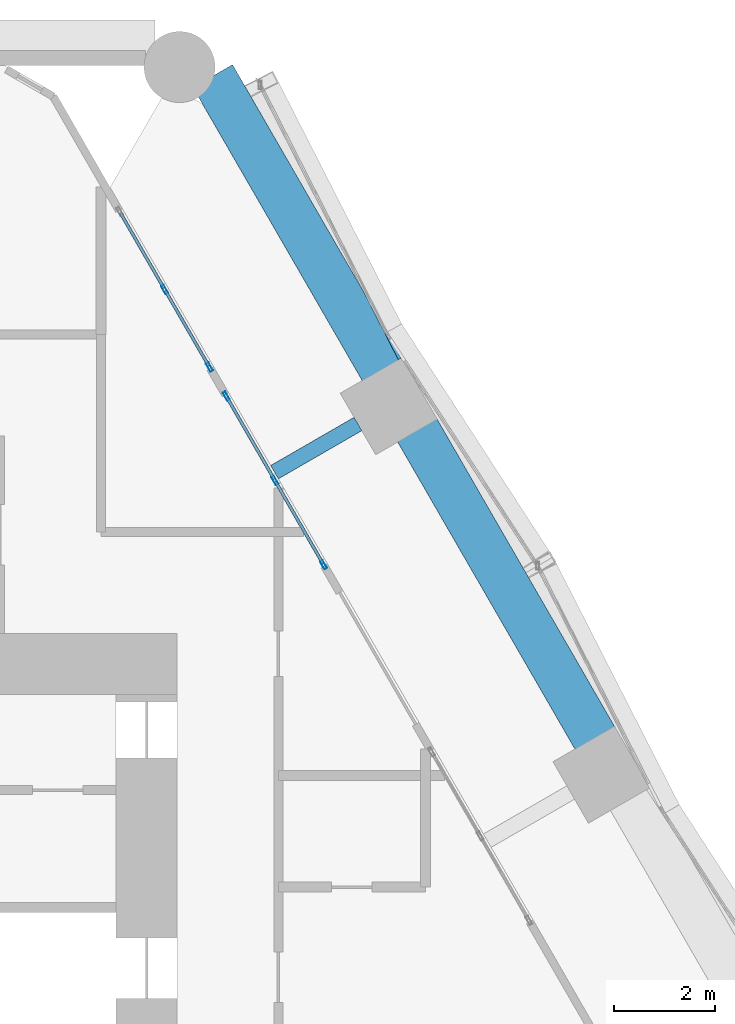
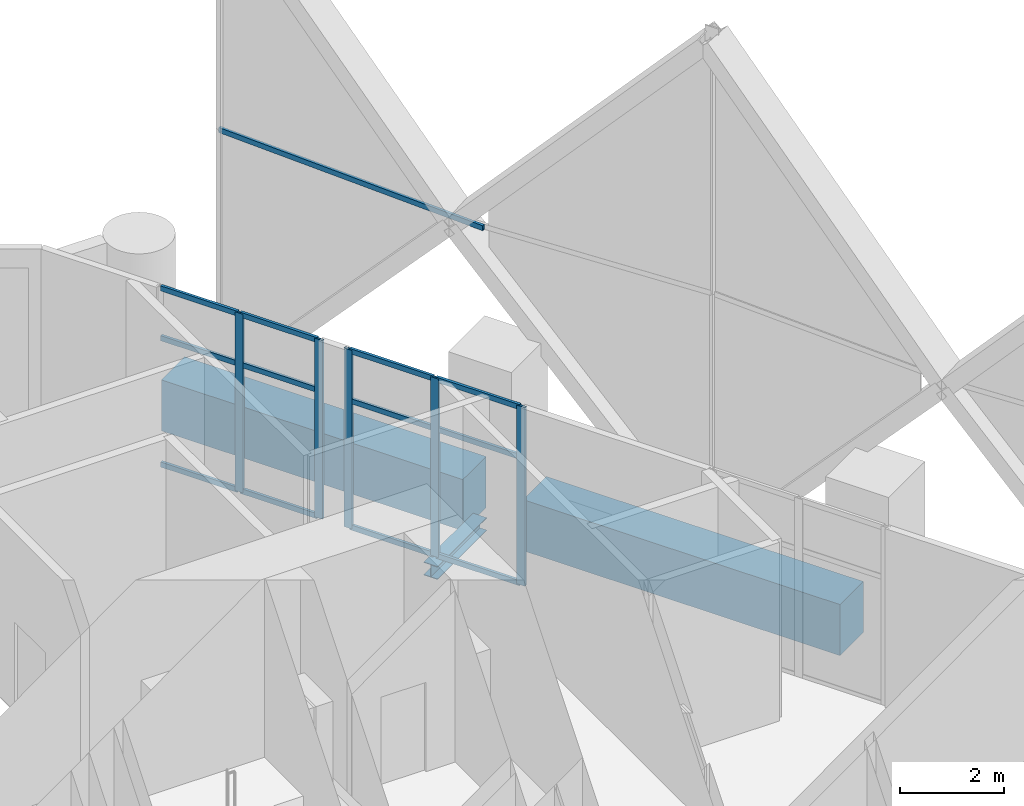
# One storey, part 30 of 46: 18 members, 3 beams, 3 elements without a shape of their own.
"""IFC4 building model written with IfcOpenShell, lengths in metres."""

from ifc_helpers import new_model, si_unit, direction, frame, origin, origin_2d, place, context, subcontext, project, spatial, rectangle, hollow_rectangle, i_section, extrude, material, material_profile, profile_set, type_object, element, aggregate, save


model = new_model("IFC4")

# Units and contexts
model_context = context("Model", 3, precision=1e-05, world=origin(), true_north=direction((0.0, 1.0)))
body_context = subcontext(model_context, "Body", "Model", "MODEL_VIEW")
ifc_project = project(units=[si_unit("LENGTHUNIT", "METRE"), si_unit("AREAUNIT", "SQUARE_METRE"), si_unit("VOLUMEUNIT", "CUBIC_METRE"), si_unit("PLANEANGLEUNIT", "RADIAN"), si_unit("MASSUNIT", "GRAM", prefix="KILO")], contexts=[model_context])

# Site, building, storey
site_placement = place(None, origin())
site = spatial("IfcSite", under=ifc_project, at=site_placement, CompositionType="ELEMENT")
building_placement = place(site_placement, origin())
building = spatial("IfcBuilding", under=site, at=building_placement, Name="Ostrander Bayou Hotel Tower", CompositionType="ELEMENT")
storey_placement = place(building_placement, frame((0.0, 0.0, 23.5)))
storey = spatial("IfcBuildingStorey", under=building, at=storey_placement, Name="L05", CompositionType="ELEMENT", Elevation=23.5)

# Curtain wall, member
ifc_material_1 = material(Name="Aluminium and clear glass", Category="aluminium")
curtain_wall_type_1 = type_object("IfcCurtainWallType", Name="CW-LAT lattice glazing", PredefinedType="NOTDEFINED", material=ifc_material_1)
curtain_wall_1_placement = place(storey_placement, origin())
curtain_wall_1 = element("IfcCurtainWall", 1, at=curtain_wall_1_placement, inside=storey, type_object=curtain_wall_type_1, Name="CW-LAT L05 NE 2", PredefinedType="NOTDEFINED")
ifc_material_2 = material(Name="Aluminium", Category="aluminium")
ifc_material_profile_1 = material_profile(ifc_material_2, hollow_rectangle(XDim=0.06005859375, YDim=0.1201171875, WallThickness=0.00390625, at=origin_2d()))
ifc_profile_set_1 = profile_set([ifc_material_profile_1], Name="Aluminium")
member_type_1 = type_object("IfcMemberType", Name="CW-LA transom 60 x 120 mm", PredefinedType="USERDEFINED", material=ifc_profile_set_1)
member_1_placement = place(storey_placement, frame((13.637939453125, 20.5185546875, 5.39990234375), z_axis=(0.45398127214, -0.891011225825, 0.0), x_axis=(0.891011225825, 0.45398127214, 0.0)))
member_1 = element("IfcMember", 2, at=member_1_placement, type_object=member_type_1, Name="CW-LAT transom 10", ObjectType="TRANSOM", PredefinedType="USERDEFINED", context=body_context, shape_type="SweptSolid", body=[
    extrude(hollow_rectangle(XDim=0.06005859375, YDim=0.1201171875, WallThickness=0.00390625, at=origin_2d()), origin(), (0.0, 0.0, 1.0), 6.0634765625),
])
aggregate(curtain_wall_1, [member_1])

# Curtain wall, members
ifc_material_3 = material(Name="Aluminium and clear glass", Category="aluminium")
curtain_wall_type_2 = type_object("IfcCurtainWallType", Name="CW-SKY amenity glass wall", PredefinedType="NOTDEFINED", material=ifc_material_3)
curtain_wall_2_placement = place(storey_placement, origin())
curtain_wall_2 = element("IfcCurtainWall", 3, at=curtain_wall_2_placement, inside=storey, type_object=curtain_wall_type_2, Name="CW-SKY L05 NE 4", PredefinedType="NOTDEFINED")
ifc_material_4 = material(Name="Aluminium", Category="aluminium")
ifc_material_profile_2 = material_profile(ifc_material_4, hollow_rectangle(XDim=0.06005859375, YDim=0.179931640625, WallThickness=0.00390625, at=origin_2d()))
ifc_profile_set_2 = profile_set([ifc_material_profile_2], Name="Aluminium")
member_type_2 = type_object("IfcMemberType", Name="CW-SK mullion 60 x 180 mm", PredefinedType="MULLION", material=ifc_profile_set_2)
member_2_placement = place(storey_placement, frame((14.8916015625, 11.05712890625, 0.0), z_axis=(0.0, 0.0, 1.0), x_axis=(-0.866025463091, -0.499999897278, 0.0)))
member_2 = element("IfcMember", 4, at=member_2_placement, type_object=member_type_2, Name="CW-SKY mullion 1", PredefinedType="MULLION", context=body_context, shape_type="SweptSolid", body=[
    extrude(hollow_rectangle(XDim=0.06005859375, YDim=0.179931640625, WallThickness=0.00390625, at=origin_2d()), origin(), (0.0, 0.0, 1.0), 4.199951171875),
])
member_3_placement = place(storey_placement, frame((13.931396484375, 12.719970703125, 0.0), z_axis=(0.0, 0.0, 1.0), x_axis=(-0.866025463091, -0.499999897278, 0.0)))
member_3 = element("IfcMember", 5, at=member_3_placement, type_object=member_type_2, Name="CW-SKY mullion 2", PredefinedType="MULLION", context=body_context, shape_type="SweptSolid", body=[
    extrude(hollow_rectangle(XDim=0.06005859375, YDim=0.179931640625, WallThickness=0.00390625, at=origin_2d()), origin(), (0.0, 0.0, 1.0), 4.199951171875),
])
member_4_placement = place(storey_placement, frame((12.971435546875, 14.3828125, 0.0), z_axis=(0.0, 0.0, 1.0), x_axis=(-0.866025463091, -0.499999897278, 0.0)))
member_4 = element("IfcMember", 6, at=member_4_placement, type_object=member_type_2, Name="CW-SKY mullion 3", PredefinedType="MULLION", context=body_context, shape_type="SweptSolid", body=[
    extrude(hollow_rectangle(XDim=0.06005859375, YDim=0.179931640625, WallThickness=0.00390625, at=origin_2d()), origin(), (0.0, 0.0, 1.0), 4.199951171875),
])

curtain_wall_3_placement = place(storey_placement, origin())
curtain_wall_3 = element("IfcCurtainWall", 7, at=curtain_wall_3_placement, inside=storey, type_object=curtain_wall_type_2, Name="CW-SKY L05 NE 5", PredefinedType="NOTDEFINED")
member_5_placement = place(storey_placement, frame((12.6416015625, 14.954345703125, 0.0), z_axis=(0.0, 0.0, 1.0), x_axis=(-0.866025997283, -0.499998972029, 0.0)))
member_5 = element("IfcMember", 8, at=member_5_placement, type_object=member_type_2, Name="CW-SKY mullion 1", PredefinedType="MULLION", context=body_context, shape_type="SweptSolid", body=[
    extrude(hollow_rectangle(XDim=0.06005859375, YDim=0.179931640625, WallThickness=0.00390625, at=origin_2d()), origin(), (0.0, 0.0, 1.0), 4.199951171875),
])
member_6_placement = place(storey_placement, frame((11.756591796875, 16.487060546875, 0.0), z_axis=(0.0, 0.0, 1.0), x_axis=(-0.866025997283, -0.499998972029, 0.0)))
member_6 = element("IfcMember", 9, at=member_6_placement, type_object=member_type_2, Name="CW-SKY mullion 2", PredefinedType="MULLION", context=body_context, shape_type="SweptSolid", body=[
    extrude(hollow_rectangle(XDim=0.06005859375, YDim=0.179931640625, WallThickness=0.00390625, at=origin_2d()), origin(), (0.0, 0.0, 1.0), 4.199951171875),
])

# Member
ifc_material_5 = material(Name="Aluminium", Category="aluminium")
ifc_material_profile_3 = material_profile(ifc_material_5, hollow_rectangle(XDim=0.06005859375, YDim=0.1201171875, WallThickness=0.00390625, at=origin_2d()))
ifc_profile_set_3 = profile_set([ifc_material_profile_3], Name="Aluminium")
member_type_3 = type_object("IfcMemberType", Name="CW-SK transom 60 x 120 mm", PredefinedType="USERDEFINED", material=ifc_profile_set_3)
member_7_placement = place(storey_placement, frame((14.87646484375, 11.083251953125, 0.030029296875), z_axis=(-0.500021687003, 0.866012882425, 0.0), x_axis=(-0.866012882425, -0.500021687003, 0.0)))
member_7 = element("IfcMember", 10, at=member_7_placement, type_object=member_type_3, Name="CW-SKY transom 1.1", ObjectType="TRANSOM", PredefinedType="USERDEFINED", context=body_context, shape_type="SweptSolid", body=[
    extrude(hollow_rectangle(XDim=0.06005859375, YDim=0.1201171875, WallThickness=0.00390625, at=origin_2d()), origin(), (0.0, 0.0, 1.0), 1.85986328125),
])

member_8_placement = place(storey_placement, frame((14.87646484375, 11.083251953125, 3.0), z_axis=(-0.500021687003, 0.866012882425, 0.0), x_axis=(-0.866012882425, -0.500021687003, 0.0)))
member_8 = element("IfcMember", 11, at=member_8_placement, type_object=member_type_3, Name="CW-SKY transom 1.2", ObjectType="TRANSOM", PredefinedType="USERDEFINED", context=body_context, shape_type="SweptSolid", body=[
    extrude(hollow_rectangle(XDim=0.06005859375, YDim=0.1201171875, WallThickness=0.00390625, at=origin_2d()), origin(), (0.0, 0.0, 1.0), 1.85986328125),
])

member_9_placement = place(storey_placement, frame((14.87646484375, 11.083251953125, 4.169921875), z_axis=(-0.500021687003, 0.866012882425, 0.0), x_axis=(-0.866012882425, -0.500021687003, 0.0)))
member_9 = element("IfcMember", 12, at=member_9_placement, type_object=member_type_3, Name="CW-SKY transom 1.3", ObjectType="TRANSOM", PredefinedType="USERDEFINED", context=body_context, shape_type="SweptSolid", body=[
    extrude(hollow_rectangle(XDim=0.06005859375, YDim=0.1201171875, WallThickness=0.00390625, at=origin_2d()), origin(), (0.0, 0.0, 1.0), 1.85986328125),
])

member_10_placement = place(storey_placement, frame((13.91650390625, 12.745849609375, 0.030029296875), z_axis=(-0.499964847546, 0.866045698112, 0.0), x_axis=(-0.866045698112, -0.499964847546, 0.0)))
member_10 = element("IfcMember", 13, at=member_10_placement, type_object=member_type_3, Name="CW-SKY transom 2.1", ObjectType="TRANSOM", PredefinedType="USERDEFINED", context=body_context, shape_type="SweptSolid", body=[
    extrude(hollow_rectangle(XDim=0.06005859375, YDim=0.1201171875, WallThickness=0.00390625, at=origin_2d()), origin(), (0.0, 0.0, 1.0), 1.860107421875),
])

member_11_placement = place(storey_placement, frame((13.91650390625, 12.745849609375, 3.0), z_axis=(-0.499964847546, 0.866045698112, 0.0), x_axis=(-0.866045698112, -0.499964847546, 0.0)))
member_11 = element("IfcMember", 14, at=member_11_placement, type_object=member_type_3, Name="CW-SKY transom 2.2", ObjectType="TRANSOM", PredefinedType="USERDEFINED", context=body_context, shape_type="SweptSolid", body=[
    extrude(hollow_rectangle(XDim=0.06005859375, YDim=0.1201171875, WallThickness=0.00390625, at=origin_2d()), origin(), (0.0, 0.0, 1.0), 1.860107421875),
])

member_12_placement = place(storey_placement, frame((13.91650390625, 12.745849609375, 4.169921875), z_axis=(-0.499964847546, 0.866045698112, 0.0), x_axis=(-0.866045698112, -0.499964847546, 0.0)))
member_12 = element("IfcMember", 15, at=member_12_placement, type_object=member_type_3, Name="CW-SKY transom 2.3", ObjectType="TRANSOM", PredefinedType="USERDEFINED", context=body_context, shape_type="SweptSolid", body=[
    extrude(hollow_rectangle(XDim=0.06005859375, YDim=0.1201171875, WallThickness=0.00390625, at=origin_2d()), origin(), (0.0, 0.0, 1.0), 1.860107421875),
])

aggregate(curtain_wall_2, [member_2, member_3, member_4, member_7, member_8, member_9, member_10, member_11, member_12])

member_13_placement = place(storey_placement, frame((12.62646484375, 14.980224609375, 0.030029296875), z_axis=(-0.499977863513, 0.866038183914, 0.0), x_axis=(-0.866038183914, -0.499977863513, 0.0)))
member_13 = element("IfcMember", 16, at=member_13_placement, type_object=member_type_3, Name="CW-SKY transom 1.1", ObjectType="TRANSOM", PredefinedType="USERDEFINED", context=body_context, shape_type="SweptSolid", body=[
    extrude(hollow_rectangle(XDim=0.06005859375, YDim=0.1201171875, WallThickness=0.00390625, at=origin_2d()), origin(), (0.0, 0.0, 1.0), 1.7099609375),
])

member_14_placement = place(storey_placement, frame((12.62646484375, 14.980224609375, 3.0), z_axis=(-0.499977863513, 0.866038183914, 0.0), x_axis=(-0.866038183914, -0.499977863513, 0.0)))
member_14 = element("IfcMember", 17, at=member_14_placement, type_object=member_type_3, Name="CW-SKY transom 1.2", ObjectType="TRANSOM", PredefinedType="USERDEFINED", context=body_context, shape_type="SweptSolid", body=[
    extrude(hollow_rectangle(XDim=0.06005859375, YDim=0.1201171875, WallThickness=0.00390625, at=origin_2d()), origin(), (0.0, 0.0, 1.0), 1.7099609375),
])

member_15_placement = place(storey_placement, frame((12.62646484375, 14.980224609375, 4.169921875), z_axis=(-0.499977863513, 0.866038183914, 0.0), x_axis=(-0.866038183914, -0.499977863513, 0.0)))
member_15 = element("IfcMember", 18, at=member_15_placement, type_object=member_type_3, Name="CW-SKY transom 1.3", ObjectType="TRANSOM", PredefinedType="USERDEFINED", context=body_context, shape_type="SweptSolid", body=[
    extrude(hollow_rectangle(XDim=0.06005859375, YDim=0.1201171875, WallThickness=0.00390625, at=origin_2d()), origin(), (0.0, 0.0, 1.0), 1.7099609375),
])

member_16_placement = place(storey_placement, frame((11.741455078125, 16.51318359375, 0.030029296875), z_axis=(-0.499977863513, 0.866038183914, 0.0), x_axis=(-0.866038183914, -0.499977863513, 0.0)))
member_16 = element("IfcMember", 19, at=member_16_placement, type_object=member_type_3, Name="CW-SKY transom 2.1", ObjectType="TRANSOM", PredefinedType="USERDEFINED", context=body_context, shape_type="SweptSolid", body=[
    extrude(hollow_rectangle(XDim=0.06005859375, YDim=0.1201171875, WallThickness=0.00390625, at=origin_2d()), origin(), (0.0, 0.0, 1.0), 1.7099609375),
])

member_17_placement = place(storey_placement, frame((11.741455078125, 16.51318359375, 3.0), z_axis=(-0.499977863513, 0.866038183914, 0.0), x_axis=(-0.866038183914, -0.499977863513, 0.0)))
member_17 = element("IfcMember", 20, at=member_17_placement, type_object=member_type_3, Name="CW-SKY transom 2.2", ObjectType="TRANSOM", PredefinedType="USERDEFINED", context=body_context, shape_type="SweptSolid", body=[
    extrude(hollow_rectangle(XDim=0.06005859375, YDim=0.1201171875, WallThickness=0.00390625, at=origin_2d()), origin(), (0.0, 0.0, 1.0), 1.7099609375),
])

member_18_placement = place(storey_placement, frame((11.741455078125, 16.51318359375, 4.169921875), z_axis=(-0.499977863513, 0.866038183914, 0.0), x_axis=(-0.866038183914, -0.499977863513, 0.0)))
member_18 = element("IfcMember", 21, at=member_18_placement, type_object=member_type_3, Name="CW-SKY transom 2.3", ObjectType="TRANSOM", PredefinedType="USERDEFINED", context=body_context, shape_type="SweptSolid", body=[
    extrude(hollow_rectangle(XDim=0.06005859375, YDim=0.1201171875, WallThickness=0.00390625, at=origin_2d()), origin(), (0.0, 0.0, 1.0), 1.7099609375),
])

aggregate(curtain_wall_3, [member_5, member_6, member_13, member_14, member_15, member_16, member_17, member_18])

# Beams
ifc_material_6 = material(Name="Steel ASTM A992", Category="steel")
ifc_material_profile_4 = material_profile(ifc_material_6, i_section(OverallWidth=0.3046875, OverallDepth=0.307861328125, WebThickness=0.010009765625, FlangeThickness=0.015380859375, at=origin_2d()))
ifc_profile_set_4 = profile_set([ifc_material_profile_4], Name="Steel ASTM A992")
beam_type_1 = type_object("IfcBeamType", Name="LB1 loggia bracket W12x65", PredefinedType="BEAM", material=ifc_profile_set_4)
beam_1_placement = place(storey_placement, frame((15.569091796875, 13.833251953125, -0.453857421875), z_axis=(-0.86601224135, -0.500022797313, 0.0), x_axis=(0.500022797313, -0.86601224135, 0.0)))
element("IfcBeam", 22, at=beam_1_placement, inside=storey, type_object=beam_type_1, Name="LB1 L05 NE2", PredefinedType="BEAM", context=body_context, shape_type="SweptSolid", body=[
    extrude(i_section(OverallWidth=0.3046875, OverallDepth=0.307861328125, WebThickness=0.010009765625, FlangeThickness=0.015380859375, at=origin_2d()), origin(), (0.0, 0.0, 1.0), 1.89990234375),
])
ifc_material_7 = material(Name="Concrete f'c 70 MPa", Category="concrete")
ifc_material_profile_5 = material_profile(ifc_material_7, rectangle(XDim=0.89990234375, YDim=1.199951171875, at=origin_2d()))
ifc_profile_set_5 = profile_set([ifc_material_profile_5], Name="Concrete f'c 70 MPa")
beam_type_2 = type_object("IfcBeamType", Name="SP1 spandrel beam 900 x 1200 mm f'c 70 MPa", PredefinedType="SPANDREL", material=ifc_profile_set_5)
beam_2_placement = place(storey_placement, frame((20.252197265625, 7.621826171875, -0.60009765625), z_axis=(-0.499997206141, 0.866027016814, 0.0), x_axis=(-0.866027016814, -0.499997206141, 0.0)))
element("IfcBeam", 23, at=beam_2_placement, inside=storey, type_object=beam_type_2, Name="SP1 L05 NE-2", PredefinedType="SPANDREL", context=body_context, shape_type="SweptSolid", body=[
    extrude(rectangle(XDim=0.89990234375, YDim=1.199951171875, at=origin_2d()), origin(), (0.0, 0.0, 1.0), 7.05078125),
])
beam_3_placement = place(storey_placement, frame((16.056884765625, 14.888671875, -0.60009765625), z_axis=(-0.500005133765, 0.866022439784, 0.0), x_axis=(-0.866022439784, -0.500005133765, 0.0)))
element("IfcBeam", 24, at=beam_3_placement, inside=storey, type_object=beam_type_2, Name="SP1 L05 NE-3", PredefinedType="SPANDREL", context=body_context, shape_type="SweptSolid", body=[
    extrude(rectangle(XDim=0.89990234375, YDim=1.199951171875, at=origin_2d()), origin(), (0.0, 0.0, 1.0), 6.70361328125),
])

save(model, "model.ifc")
